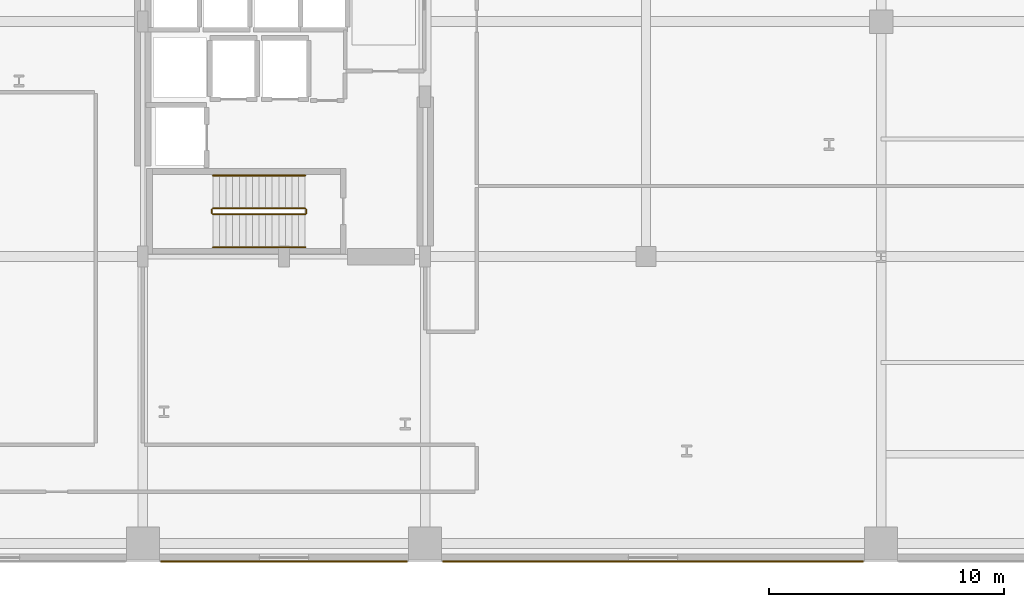
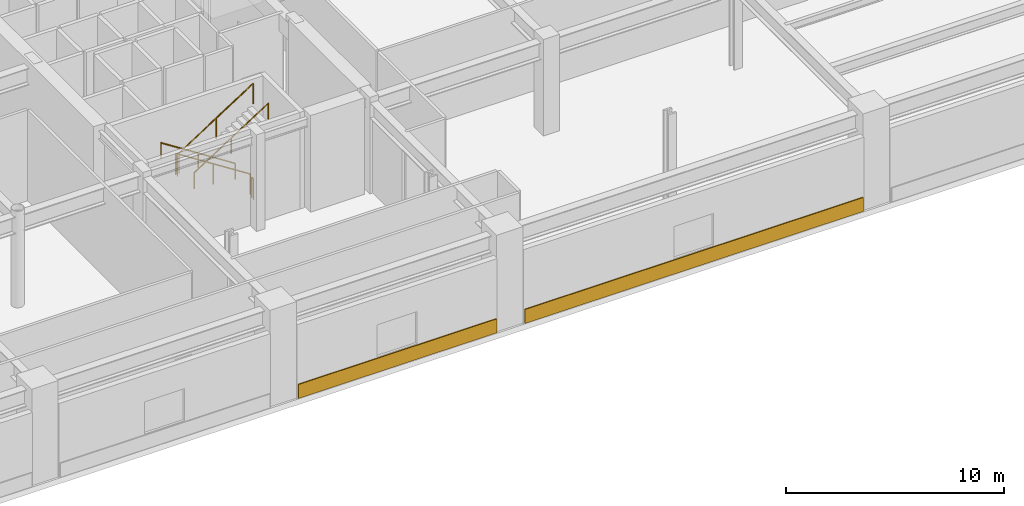
# One storey, part 25 of 28: 6 railings, 2 coverings.
"""IFC4 building model written with IfcOpenShell, lengths in metres."""

import ifcopenshell
import ifcopenshell.guid

model = None  # the IFC model being written
_history = None  # IfcOwnerHistory: only IFC2X3 demands one
_inside = {}  # id of a spatial element -> (the spatial element, [elements in it])
_under = {}  # id of a project, library or spatial element -> (it, [spatial elements below it])
_declared = {}  # id of a project -> (the project, [libraries it declares])
_typed = {}  # id of a type object -> (the type object, [elements of that type])
_made_of = {}  # id of a material, layer set ... -> (it, [elements and type objects made of it])


def new_model(schema):
    """Start an empty IFC model of exactly this schema.

    Asked for "IFC4X3", IfcOpenShell would pick the latest addendum, in which some entities
    have other attributes; the version numbers below select the first issue.
    IFC2X3 requires an IfcOwnerHistory on every rooted entity: one is made here for all.
    """
    global model, _history
    if schema == "IFC4X3":
        model = ifcopenshell.file(schema_version=(4, 3, 0, 0))
    else:
        model = ifcopenshell.file(schema=schema)
    _inside.clear()
    _under.clear()
    _declared.clear()
    _typed.clear()
    _made_of.clear()
    _history = None
    if model.schema == "IFC2X3":
        org = make("IfcOrganization", Name="unknown")
        user = make(
            "IfcPersonAndOrganization",
            ThePerson=make("IfcPerson", FamilyName="unknown"),
            TheOrganization=org,
        )
        app = make(
            "IfcApplication",
            ApplicationDeveloper=org,
            Version="unknown",
            ApplicationFullName="unknown",
            ApplicationIdentifier="unknown",
        )
        _history = make(
            "IfcOwnerHistory",
            OwningUser=user,
            OwningApplication=app,
            ChangeAction="ADDED",
            CreationDate=0,
        )
    return model


def make(cls, **values):
    """One entity of the class cls with the attributes given. An attribute that is None is left unset."""
    return model.create_entity(
        cls, **{name: value for name, value in values.items() if value is not None}
    )


def rooted(cls, **values):
    """An entity with a GlobalId (a new one), such as an element, a storey or a relation."""
    return make(cls, GlobalId=ifcopenshell.guid.new(), OwnerHistory=_history, **values)


def si_unit(unit_type, name, prefix=None):
    """IfcSIUnit, for example si_unit("LENGTHUNIT", "METRE", prefix="MILLI")."""
    return make("IfcSIUnit", UnitType=unit_type, Prefix=prefix, Name=name)


def assignment(units):
    """IfcUnitAssignment: the units of a project."""
    return None if units is None else make("IfcUnitAssignment", Units=units)


def point(xyz):
    """IfcCartesianPoint."""
    return None if xyz is None else make("IfcCartesianPoint", Coordinates=xyz)


def direction(xyz):
    """IfcDirection."""
    return None if xyz is None else make("IfcDirection", DirectionRatios=xyz)


def frame(location, z_axis=None, x_axis=None):
    """IfcAxis2Placement3D, a coordinate frame: its origin and axes. An axis left out is left unset."""
    return make(
        "IfcAxis2Placement3D",
        Location=point(location),
        Axis=direction(z_axis),
        RefDirection=direction(x_axis),
    )


def frame_2d(location, x_axis=None):
    """IfcAxis2Placement2D, a coordinate frame in the plane: its origin and x axis."""
    return make(
        "IfcAxis2Placement2D", Location=point(location), RefDirection=direction(x_axis)
    )


def origin():
    """The frame at (0, 0, 0) with its axes left unset."""
    return frame((0.0, 0.0, 0.0))


def origin_2d():
    """The frame at (0, 0) in the plane with its x axis left unset."""
    return frame_2d((0.0, 0.0))


def place(relative_to, where):
    """IfcLocalPlacement: puts the frame where relative to a parent placement (None: the world)."""
    return make(
        "IfcLocalPlacement", PlacementRelTo=relative_to, RelativePlacement=where
    )


def context(
    kind, dimensions, precision=None, world=None, true_north=None, identifier=None
):
    """IfcGeometricRepresentationContext, for example the 3D "Model" context."""
    return make(
        "IfcGeometricRepresentationContext",
        ContextIdentifier=identifier,
        ContextType=kind,
        CoordinateSpaceDimension=dimensions,
        Precision=precision,
        WorldCoordinateSystem=world,
        TrueNorth=true_north,
    )


def subcontext(parent, identifier, kind, view, scale=None):
    """IfcGeometricRepresentationSubContext, for example "Body" below "Model"."""
    return make(
        "IfcGeometricRepresentationSubContext",
        ContextIdentifier=identifier,
        ContextType=kind,
        ParentContext=parent,
        TargetScale=scale,
        TargetView=view,
    )


def project(units=None, contexts=None):
    """IfcProject with its units and contexts."""
    return rooted(
        "IfcProject",
        Name="project",
        RepresentationContexts=contexts,
        UnitsInContext=assignment(units),
    )


def spatial(cls, under=None, at=None, **own):
    """A site, building, storey or space (cls), placed at a placement, below another one or the project."""
    s = rooted(cls, ObjectPlacement=at, **own)
    if under is not None:
        _under.setdefault(under.id(), (under, []))[1].append(s)
    return s


def profile(cls, at=None, kind="AREA", **sizes):
    """A parametric profile (cls). Its sizes go by their IFC names, for example OverallWidth=200.0."""
    return make(cls, ProfileType=kind, Position=at, **sizes)


def rectangle(**sizes):
    """IfcRectangleProfileDef."""
    return profile("IfcRectangleProfileDef", **sizes)


def circle(**sizes):
    """IfcCircleProfileDef."""
    return profile("IfcCircleProfileDef", **sizes)


def extrude(swept, where, along, depth):
    """IfcExtrudedAreaSolid: the profile swept, set in the frame where, extruded along a direction by depth."""
    return make(
        "IfcExtrudedAreaSolid",
        SweptArea=swept,
        Position=where,
        ExtrudedDirection=direction(along),
        Depth=depth,
    )


def shape(context_of_items, identifier, shape_type, items):
    """IfcShapeRepresentation: the items that make up one representation, for example the "Body"."""
    return make(
        "IfcShapeRepresentation",
        ContextOfItems=context_of_items,
        RepresentationIdentifier=identifier,
        RepresentationType=shape_type,
        Items=items,
    )


def material(Name=None, Category=None):
    """IfcMaterial."""
    return make("IfcMaterial", Name=Name, Category=Category)


def layer(
    of_material, thickness, ventilated=None, Name=None, Category=None, Priority=None
):
    """IfcMaterialLayer: one layer of a wall or slab, of a material (None: an air gap)."""
    return make(
        "IfcMaterialLayer",
        Material=of_material,
        LayerThickness=thickness,
        IsVentilated=ventilated,
        Name=Name,
        Category=Category,
        Priority=Priority,
    )


def layer_set(layers, Name=None):
    """IfcMaterialLayerSet."""
    return make("IfcMaterialLayerSet", MaterialLayers=layers, LayerSetName=Name)


def made_of(thing, what):
    """Note that an element or type object is made of a material, layer set ...; save() writes the relation."""
    if what is not None:
        _made_of.setdefault(what.id(), (what, []))[1].append(thing)
    return thing


def type_object(cls, material=None, **own):
    """A type object (cls), such as IfcWallType, which elements share."""
    return made_of(rooted(cls, **own), material)


def element(
    cls,
    number,
    at=None,
    inside=None,
    cuts=None,
    type_object=None,
    material=None,
    context=None,
    identifier="Body",
    shape_type=None,
    held_by="IfcProductDefinitionShape",
    body=None,
    shapes=None,
    **own,
):
    """One element of the class cls, such as IfcWall. Its Tag is "e" and its number.

    at: its placement. inside: the storey or other place that contains it. cuts: it is an
    opening in that element (IfcRelVoidsElement). A single representation is given by context,
    identifier, shape_type and body (its items); several are given by shapes. held_by: the class
    of the entity that holds the representations. save() writes the other relations.
    """
    e = rooted(cls, Tag="e%d" % number, ObjectPlacement=at, **own)
    if body is not None:
        shapes = [shape(context, identifier, shape_type, body)]
    if shapes is not None:
        e.Representation = make(held_by, Representations=shapes)
    if inside is not None:
        _inside.setdefault(inside.id(), (inside, []))[1].append(e)
    if cuts is not None:
        rooted(
            "IfcRelVoidsElement", RelatingBuildingElement=cuts, RelatedOpeningElement=e
        )
    if type_object is not None:
        _typed.setdefault(type_object.id(), (type_object, []))[1].append(e)
    return made_of(e, material)


def aggregate(whole, parts):
    """IfcRelAggregates: a whole, such as a stair, and the parts it consists of."""
    return rooted("IfcRelAggregates", RelatingObject=whole, RelatedObjects=parts)


def save(model, path):
    """Write the relations noted so far, then the file.

    IfcRelAggregates (storeys below a building ...), IfcRelContainedInSpatialStructure (elements
    in a storey), IfcRelDefinesByType, IfcRelAssociatesMaterial and IfcRelDeclares: one each for
    every whole, place, type object, material and project.
    """
    for whole, parts in _under.values():
        aggregate(whole, parts)
    for where, things in _inside.values():
        rooted(
            "IfcRelContainedInSpatialStructure",
            RelatedElements=things,
            RelatingStructure=where,
        )
    for kind, things in _typed.values():
        rooted("IfcRelDefinesByType", RelatedObjects=things, RelatingType=kind)
    for what, things in _made_of.values():
        rooted("IfcRelAssociatesMaterial", RelatedObjects=things, RelatingMaterial=what)
    for by, libraries in _declared.values():
        rooted("IfcRelDeclares", RelatingContext=by, RelatedDefinitions=libraries)
    model.write(path)


model = new_model("IFC4")

# Units and contexts
model_context = context("Model", 3, precision=1e-05, world=origin(), true_north=direction((0.0, 1.0)))
body_context = subcontext(model_context, "Body", "Model", "MODEL_VIEW")
ifc_project = project(units=[si_unit("LENGTHUNIT", "METRE"), si_unit("AREAUNIT", "SQUARE_METRE"), si_unit("VOLUMEUNIT", "CUBIC_METRE"), si_unit("PLANEANGLEUNIT", "RADIAN"), si_unit("MASSUNIT", "GRAM", prefix="KILO")], contexts=[model_context])

# Site, building, storey
site_placement = place(None, origin())
site = spatial("IfcSite", under=ifc_project, at=site_placement, CompositionType="ELEMENT")
building_placement = place(site_placement, origin())
building = spatial("IfcBuilding", under=site, at=building_placement, Name="Soratama Intermodal Tower", CompositionType="ELEMENT")
storey_placement = place(building_placement, frame((0.0, 0.0, 6.0)))
storey = spatial("IfcBuildingStorey", under=building, at=storey_placement, Name="L01", CompositionType="ELEMENT", Elevation=6.0)

# Coverings
ifc_material_1 = material(Name="Honed Andean limestone cladding", Category="masonry")
ifc_layer = layer(ifc_material_1, 0.06005859375)
ifc_layer_set = layer_set([ifc_layer], Name="Honed Andean limestone cladding")
covering_type = type_object("IfcCoveringType", Name="CV-STONE-CLAD", PredefinedType="CLADDING", material=ifc_layer_set)
covering_1_placement = place(storey_placement, frame((38.60009765625, 2.02392578125, 0.02978515625), z_axis=(0.0, 0.0, 1.0), x_axis=(1.0, 0.0, 0.0)))
element("IfcCovering", 1, at=covering_1_placement, inside=storey, type_object=covering_type, Name="L01 S Cladding B3", PredefinedType="CLADDING", context=body_context, shape_type="SweptSolid", body=[
    extrude(rectangle(XDim=10.5, YDim=0.06005859375, at=origin_2d()), origin(), (0.0, 0.0, 1.0), 0.780029296875),
])
covering_2_placement = place(storey_placement, frame((54.300048828125, 2.02392578125, 0.02978515625), z_axis=(0.0, 0.0, 1.0), x_axis=(1.0, 0.0, 0.0)))
element("IfcCovering", 2, at=covering_2_placement, inside=storey, type_object=covering_type, Name="L01 S Cladding B4", PredefinedType="CLADDING", context=body_context, shape_type="SweptSolid", body=[
    extrude(rectangle(XDim=17.89990234375, YDim=0.06005859375, at=origin_2d()), origin(), (0.0, 0.0, 1.0), 0.780029296875),
])

# Railings
ifc_material_2 = material(Name="Painted steel stair guardrail", Category="steel")
railing_type_1 = type_object("IfcRailingType", Name="RL-STAIR-GUARD", PredefinedType="GUARDRAIL", material=ifc_material_2)
railing_1_placement = place(storey_placement, frame((39.5, 17.050048828125, 0.179931640625)))
element("IfcRailing", 3, at=railing_1_placement, inside=storey, type_object=railing_type_1, Name="L01 ST-1 stair guard 1", PredefinedType="GUARDRAIL", context=body_context, shape_type="SweptSolid", body=[
    extrude(circle(Radius=0.02392578125, at=origin_2d()), frame((0.0, 0.0, 1.1259765625), z_axis=(-0.841171666519, 0.0, 0.540768182723), x_axis=(0.0, -1.0, 0.0)), (0.0, 0.0, 1.0), 4.66015625),
    extrude(circle(Radius=0.02099609375, at=origin_2d()), origin(), (0.0, 0.0, 1.0), 1.101806640625),
    extrude(circle(Radius=0.02099609375, at=origin_2d()), frame((-1.9599609375, 0.0, 1.260009765625)), (0.0, 0.0, 1.0), 1.101806640625),
    extrude(circle(Radius=0.02099609375, at=origin_2d()), frame((-3.919921875, 0.0, 2.52001953125)), (0.0, 0.0, 1.0), 1.101806640625),
])
railing_2_placement = place(storey_placement, frame((35.530029296875, 17.0, 2.699951171875)))
element("IfcRailing", 4, at=railing_2_placement, inside=storey, type_object=railing_type_1, Name="L01 ST-1 stair guard 2", PredefinedType="GUARDRAIL", context=body_context, shape_type="SweptSolid", body=[
    extrude(circle(Radius=0.02392578125, at=origin_2d()), frame((0.0, 0.0, 1.1259765625), z_axis=(0.0, -1.0, 0.0), x_axis=(1.0, 0.0, 0.0)), (0.0, 0.0, 1.0), 0.14990234375),
    extrude(circle(Radius=0.02099609375, at=origin_2d()), origin(), (0.0, 0.0, 1.0), 1.101806640625),
    extrude(circle(Radius=0.02099609375, at=origin_2d()), frame((0.0, -0.14990234375, 0.0)), (0.0, 0.0, 1.0), 1.101806640625),
])
railing_3_placement = place(storey_placement, frame((35.580078125, 16.800048828125, 2.8798828125)))
element("IfcRailing", 5, at=railing_3_placement, inside=storey, type_object=railing_type_1, Name="L01 ST-1 stair guard 3", PredefinedType="GUARDRAIL", context=body_context, shape_type="SweptSolid", body=[
    extrude(circle(Radius=0.02392578125, at=origin_2d()), frame((0.0, 0.0, 1.1259765625), z_axis=(0.841171666519, 0.0, 0.540768182723), x_axis=(0.0, 1.0, 0.0)), (0.0, 0.0, 1.0), 4.66015625),
    extrude(circle(Radius=0.02099609375, at=origin_2d()), origin(), (0.0, 0.0, 1.0), 1.101806640625),
    extrude(circle(Radius=0.02099609375, at=origin_2d()), frame((1.9599609375, 0.0, 1.260009765625)), (0.0, 0.0, 1.0), 1.101806640625),
    extrude(circle(Radius=0.02099609375, at=origin_2d()), frame((3.919921875, 0.0, 2.52001953125)), (0.0, 0.0, 1.0), 1.101806640625),
])
railing_4_placement = place(storey_placement, frame((39.550048828125, 17.0, 0.0)))
element("IfcRailing", 6, at=railing_4_placement, inside=storey, type_object=railing_type_1, Name="L01 ST-1 stair guard 4", PredefinedType="GUARDRAIL", context=body_context, shape_type="SweptSolid", body=[
    extrude(circle(Radius=0.02392578125, at=origin_2d()), frame((0.0, 0.0, 1.1259765625), z_axis=(0.0, -1.0, 0.0), x_axis=(1.0, 0.0, 0.0)), (0.0, 0.0, 1.0), 0.14990234375),
    extrude(circle(Radius=0.02099609375, at=origin_2d()), origin(), (0.0, 0.0, 1.0), 1.101806640625),
    extrude(circle(Radius=0.02099609375, at=origin_2d()), frame((0.0, -0.14990234375, 0.0)), (0.0, 0.0, 1.0), 1.101806640625),
])
ifc_material_3 = material(Name="Brushed stainless steel handrail", Category="steel")
railing_type_2 = type_object("IfcRailingType", Name="RL-STAIR-HAND", PredefinedType="HANDRAIL", material=ifc_material_3)
railing_5_placement = place(storey_placement, frame((39.5, 18.449951171875, 0.179931640625)))
element("IfcRailing", 7, at=railing_5_placement, inside=storey, type_object=railing_type_2, Name="L01 ST-1 stair handrail 1", PredefinedType="HANDRAIL", context=body_context, shape_type="SweptSolid", body=[
    extrude(circle(Radius=0.02392578125, at=origin_2d()), frame((0.0, 0.0, 0.8759765625), z_axis=(-0.841171666519, 0.0, 0.540768182723), x_axis=(0.0, -1.0, 0.0)), (0.0, 0.0, 1.0), 4.66015625),
    extrude(circle(Radius=0.02099609375, at=origin_2d()), origin(), (0.0, 0.0, 1.0), 0.851806640625),
    extrude(circle(Radius=0.02099609375, at=origin_2d()), frame((-1.9599609375, 0.0, 1.260009765625)), (0.0, 0.0, 1.0), 0.851806640625),
    extrude(circle(Radius=0.02099609375, at=origin_2d()), frame((-3.919921875, 0.0, 2.52001953125)), (0.0, 0.0, 1.0), 0.851806640625),
])
railing_6_placement = place(storey_placement, frame((35.580078125, 15.39990234375, 2.8798828125)))
element("IfcRailing", 8, at=railing_6_placement, inside=storey, type_object=railing_type_2, Name="L01 ST-1 stair handrail 2", PredefinedType="HANDRAIL", context=body_context, shape_type="SweptSolid", body=[
    extrude(circle(Radius=0.02392578125, at=origin_2d()), frame((0.0, 0.0, 0.8759765625), z_axis=(0.841171666519, 0.0, 0.540768182723), x_axis=(0.0, 1.0, 0.0)), (0.0, 0.0, 1.0), 4.66015625),
    extrude(circle(Radius=0.02099609375, at=origin_2d()), origin(), (0.0, 0.0, 1.0), 0.851806640625),
    extrude(circle(Radius=0.02099609375, at=origin_2d()), frame((1.9599609375, 0.0, 1.260009765625)), (0.0, 0.0, 1.0), 0.851806640625),
    extrude(circle(Radius=0.02099609375, at=origin_2d()), frame((3.919921875, 0.0, 2.52001953125)), (0.0, 0.0, 1.0), 0.851806640625),
])

save(model, "model.ifc")
